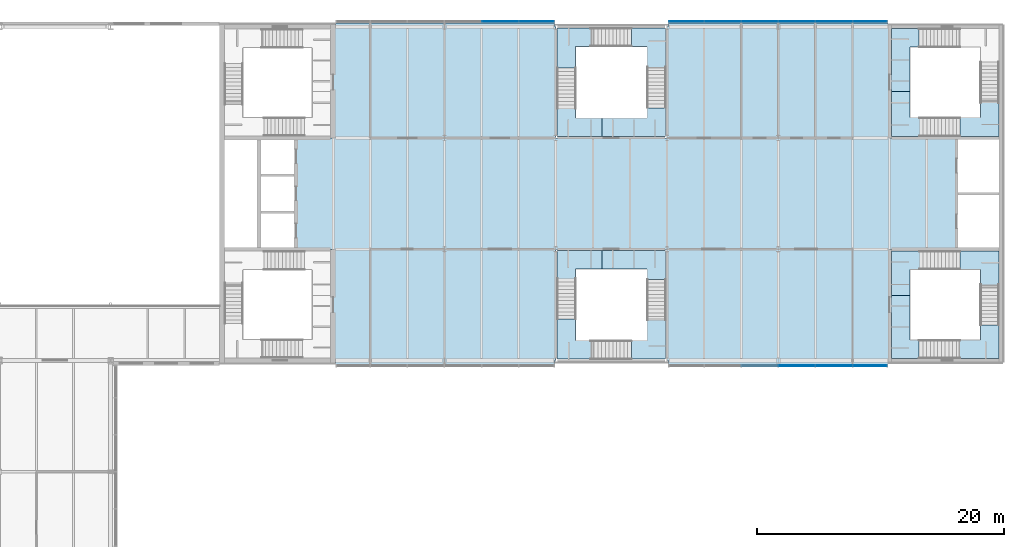
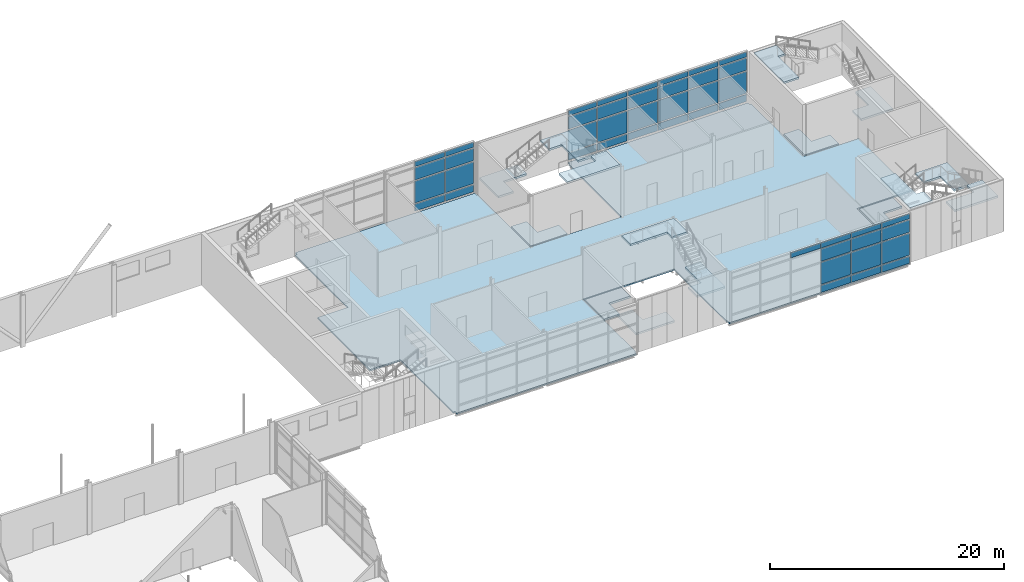
# One storey, part 35 of 56: 45 plates, 16 slabs, 7 elements without a shape of their own.
"""IFC4 building model written with IfcOpenShell, lengths in metres."""

from ifc_helpers import new_model, si_unit, direction, frame, origin, origin_2d, place, context, subcontext, project, spatial, polyline, rectangle, outline, extrude, material, layer, layer_set, type_object, element, aggregate, save


model = new_model("IFC4")

# Units and contexts
model_context = context("Model", 3, precision=1e-05, world=origin(), true_north=direction((0.0, 1.0)))
body_context = subcontext(model_context, "Body", "Model", "MODEL_VIEW")
ifc_project = project(units=[si_unit("LENGTHUNIT", "METRE"), si_unit("AREAUNIT", "SQUARE_METRE"), si_unit("VOLUMEUNIT", "CUBIC_METRE"), si_unit("PLANEANGLEUNIT", "RADIAN"), si_unit("MASSUNIT", "GRAM", prefix="KILO")], contexts=[model_context])

# Site, building, storey
site_placement = place(None, origin())
site = spatial("IfcSite", under=ifc_project, at=site_placement, CompositionType="ELEMENT")
building_placement = place(site_placement, origin())
building = spatial("IfcBuilding", under=site, at=building_placement, Name="Azimuth Sports and Learning Centre", CompositionType="ELEMENT")
storey_placement = place(building_placement, frame((0.0, 0.0, 5.39990234375)))
storey = spatial("IfcBuildingStorey", under=building, at=storey_placement, Name="L01", CompositionType="ELEMENT", Elevation=5.39990234375)

# Slab
ifc_material_1 = material(Name="Concrete C30/37", Category="concrete")
ifc_layer_1 = layer(ifc_material_1, 0.14990234375)
ifc_layer_set_1 = layer_set([ifc_layer_1], Name="Concrete C30/37")
slab_type_1 = type_object("IfcSlabType", Name="Composite floor slab 150", PredefinedType="FLOOR", material=ifc_layer_set_1)
slab_1_placement = place(storey_placement, frame((0.0, 0.0, -0.14990234375)))
element("IfcSlab", 1, at=slab_1_placement, inside=storey, type_object=slab_type_1, Name="Slab East wing L01", PredefinedType="FLOOR", context=body_context, shape_type="SweptSolid", body=[
    extrude(outline(polyline([(117.199951171875, 89.699951171875), (134.89990234375, 89.699951171875), (134.89990234375, 90.0), (135.0, 90.0), (135.0, 99.0), (144.0, 99.0), (144.0, 90.0), (144.10009765625, 90.0), (144.10009765625, 89.699951171875), (161.85009765625, 89.699951171875), (161.85009765625, 90.0), (162.0, 90.0), (162.0, 99.0), (167.39990234375, 99.0), (167.39990234375, 108.0), (162.0, 108.0), (162.0, 117.0), (161.85009765625, 117.0), (161.85009765625, 117.300048828125), (144.10009765625, 117.300048828125), (144.10009765625, 117.0), (144.0, 117.0), (144.0, 108.0), (135.0, 108.0), (135.0, 117.0), (134.89990234375, 117.0), (134.89990234375, 117.300048828125), (117.199951171875, 117.300048828125), (117.199951171875, 117.0), (117.0, 117.0), (117.0, 108.0), (114.0, 108.0), (114.0, 99.0), (117.0, 99.0), (117.0, 90.0), (117.199951171875, 90.0), (117.199951171875, 89.699951171875)])), origin(), (0.0, 0.0, 1.0), 0.14990234375),
])

# Stair, slabs
ifc_material_2 = material(Name="Concrete C32/40", Category="concrete")
stair_type_1 = type_object("IfcStairType", Name="Square-well stair end core 5400 storey", PredefinedType="THREE_QUARTER_TURN_STAIR", material=ifc_material_2)
stair_1_placement = place(storey_placement, origin())
stair_1 = element("IfcStair", 2, at=stair_1_placement, inside=storey, type_object=stair_type_1, Name="Stair EW1 L01-L02", PredefinedType="THREE_QUARTER_TURN_STAIR")
ifc_material_3 = material(Name="Concrete C32/40", Category="concrete")
ifc_layer_2 = layer(ifc_material_3, 0.199951171875)
ifc_layer_set_2 = layer_set([ifc_layer_2], Name="Concrete C32/40")
slab_type_2 = type_object("IfcSlabType", Name="Concrete stair landing", PredefinedType="LANDING", material=ifc_layer_set_2)
slab_2_placement = place(storey_placement, frame((0.0, 0.0, -0.199951171875)))
slab_2 = element("IfcSlab", 3, at=slab_2_placement, type_object=slab_type_2, Name="Stair EW1 L01 landing 1", PredefinedType="LANDING", context=body_context, shape_type="SweptSolid", body=[
    extrude(outline(polyline([(162.159912109375, 98.864990234375), (162.159912109375, 95.25), (163.659912109375, 95.25), (163.659912109375, 97.364990234375), (165.510009765625, 97.364990234375), (165.510009765625, 98.864990234375), (162.159912109375, 98.864990234375)])), origin(), (0.0, 0.0, 1.0), 0.199951171875),
])
slab_3_placement = place(storey_placement, frame((0.0, 0.0, 1.60009765625)))
slab_3 = element("IfcSlab", 4, at=slab_3_placement, type_object=slab_type_2, Name="Stair EW1 L01 landing 2", PredefinedType="LANDING", context=body_context, shape_type="SweptSolid", body=[
    extrude(outline(polyline([(169.340087890625, 97.364990234375), (169.340087890625, 95.06494140625), (170.840087890625, 95.06494140625), (170.840087890625, 98.864990234375), (167.709228515625, 98.864990234375), (167.709228515625, 97.364990234375), (169.340087890625, 97.364990234375)])), origin(), (0.0, 0.0, 1.0), 0.199951171875),
])
slab_4_placement = place(storey_placement, frame((0.0, 0.0, 3.400146484375)))
slab_4 = element("IfcSlab", 5, at=slab_4_placement, type_object=slab_type_2, Name="Stair EW1 L01 landing 3", PredefinedType="LANDING", context=body_context, shape_type="SweptSolid", body=[
    extrude(outline(polyline([(169.340087890625, 91.659912109375), (166.590087890625, 91.659912109375), (166.590087890625, 90.159912109375), (170.840087890625, 90.159912109375), (170.840087890625, 92.86572265625), (169.340087890625, 92.86572265625), (169.340087890625, 91.659912109375)])), origin(), (0.0, 0.0, 1.0), 0.199951171875),
])
slab_5_placement = place(storey_placement, frame((0.0, 0.0, 5.2001953125)))
slab_5 = element("IfcSlab", 6, at=slab_5_placement, type_object=slab_type_2, Name="Stair EW1 L01 landing 4", PredefinedType="LANDING", context=body_context, shape_type="SweptSolid", body=[
    extrude(outline(polyline([(163.659912109375, 91.659912109375), (163.659912109375, 95.25), (162.159912109375, 95.25), (162.159912109375, 90.159912109375), (164.390625, 90.159912109375), (164.390625, 91.659912109375), (163.659912109375, 91.659912109375)])), origin(), (0.0, 0.0, 1.0), 0.199951171875),
])
aggregate(stair_1, [slab_2, slab_3, slab_4, slab_5])

stair_2_placement = place(storey_placement, origin())
stair_2 = element("IfcStair", 7, at=stair_2_placement, inside=storey, type_object=stair_type_1, Name="Stair EW2 L01-L02", PredefinedType="THREE_QUARTER_TURN_STAIR")
slab_6_placement = place(storey_placement, frame((0.0, 0.0, -0.199951171875)))
slab_6 = element("IfcSlab", 8, at=slab_6_placement, type_object=slab_type_2, Name="Stair EW2 L01 landing 1", PredefinedType="LANDING", context=body_context, shape_type="SweptSolid", body=[
    extrude(outline(polyline([(165.510009765625, 109.635009765625), (163.659912109375, 109.635009765625), (163.659912109375, 111.75), (162.159912109375, 111.75), (162.159912109375, 108.135009765625), (165.510009765625, 108.135009765625), (165.510009765625, 109.635009765625)])), origin(), (0.0, 0.0, 1.0), 0.199951171875),
])
slab_7_placement = place(storey_placement, frame((0.0, 0.0, 1.60009765625)))
slab_7 = element("IfcSlab", 9, at=slab_7_placement, type_object=slab_type_2, Name="Stair EW2 L01 landing 2", PredefinedType="LANDING", context=body_context, shape_type="SweptSolid", body=[
    extrude(outline(polyline([(169.340087890625, 109.635009765625), (167.709228515625, 109.635009765625), (167.709228515625, 108.135009765625), (170.840087890625, 108.135009765625), (170.840087890625, 111.93505859375), (169.340087890625, 111.93505859375), (169.340087890625, 109.635009765625)])), origin(), (0.0, 0.0, 1.0), 0.199951171875),
])
slab_8_placement = place(storey_placement, frame((0.0, 0.0, 5.2001953125)))
slab_8 = element("IfcSlab", 10, at=slab_8_placement, type_object=slab_type_2, Name="Stair EW2 L01 landing 4", PredefinedType="LANDING", context=body_context, shape_type="SweptSolid", body=[
    extrude(outline(polyline([(163.659912109375, 115.340087890625), (164.390625, 115.340087890625), (164.390625, 116.840087890625), (162.159912109375, 116.840087890625), (162.159912109375, 111.75), (163.659912109375, 111.75), (163.659912109375, 115.340087890625)])), origin(), (0.0, 0.0, 1.0), 0.199951171875),
])
aggregate(stair_2, [slab_6, slab_7, slab_8])

ifc_material_4 = material(Name="Concrete C32/40", Category="concrete")
stair_type_2 = type_object("IfcStairType", Name="Square-well stair mid-wing cell 5400 storey", PredefinedType="THREE_QUARTER_TURN_STAIR", material=ifc_material_4)
stair_3_placement = place(storey_placement, origin())
stair_3 = element("IfcStair", 11, at=stair_3_placement, inside=storey, type_object=stair_type_2, Name="Stair EM1 L01-L02", PredefinedType="THREE_QUARTER_TURN_STAIR")
slab_9_placement = place(storey_placement, frame((0.0, 0.0, -0.199951171875)))
slab_9 = element("IfcSlab", 12, at=slab_9_placement, type_object=slab_type_2, Name="Stair EM1 L01 landing 1", PredefinedType="LANDING", context=body_context, shape_type="SweptSolid", body=[
    extrude(outline(polyline([(136.610107421875, 95.5400390625), (136.610107421875, 97.389892578125), (138.75, 97.389892578125), (138.75, 98.889892578125), (135.110107421875, 98.889892578125), (135.110107421875, 95.5400390625), (136.610107421875, 95.5400390625)])), origin(), (0.0, 0.0, 1.0), 0.199951171875),
])
slab_10_placement = place(storey_placement, frame((0.0, 0.0, 1.60009765625)))
slab_10 = element("IfcSlab", 13, at=slab_10_placement, type_object=slab_type_2, Name="Stair EM1 L01 landing 2", PredefinedType="LANDING", context=body_context, shape_type="SweptSolid", body=[
    extrude(outline(polyline([(136.610107421875, 91.610107421875), (136.610107421875, 93.3408203125), (135.110107421875, 93.3408203125), (135.110107421875, 90.110107421875), (138.909912109375, 90.110107421875), (138.909912109375, 91.610107421875), (136.610107421875, 91.610107421875)])), origin(), (0.0, 0.0, 1.0), 0.199951171875),
])
slab_11_placement = place(storey_placement, frame((0.0, 0.0, 3.400146484375)))
slab_11 = element("IfcSlab", 14, at=slab_11_placement, type_object=slab_type_2, Name="Stair EM1 L01 landing 3", PredefinedType="LANDING", context=body_context, shape_type="SweptSolid", body=[
    extrude(outline(polyline([(142.389892578125, 91.610107421875), (141.109375, 91.610107421875), (141.109375, 90.110107421875), (143.889892578125, 90.110107421875), (143.889892578125, 94.360107421875), (142.389892578125, 94.360107421875), (142.389892578125, 91.610107421875)])), origin(), (0.0, 0.0, 1.0), 0.199951171875),
])
slab_12_placement = place(storey_placement, frame((0.0, 0.0, 5.2001953125)))
slab_12 = element("IfcSlab", 15, at=slab_12_placement, type_object=slab_type_2, Name="Stair EM1 L01 landing 4", PredefinedType="LANDING", context=body_context, shape_type="SweptSolid", body=[
    extrude(outline(polyline([(142.389892578125, 97.389892578125), (142.389892578125, 96.559326171875), (143.889892578125, 96.559326171875), (143.889892578125, 98.889892578125), (138.75, 98.889892578125), (138.75, 97.389892578125), (142.389892578125, 97.389892578125)])), origin(), (0.0, 0.0, 1.0), 0.199951171875),
])
aggregate(stair_3, [slab_9, slab_10, slab_11, slab_12])

stair_4_placement = place(storey_placement, origin())
stair_4 = element("IfcStair", 16, at=stair_4_placement, inside=storey, type_object=stair_type_2, Name="Stair EM2 L01-L02", PredefinedType="THREE_QUARTER_TURN_STAIR")
slab_13_placement = place(storey_placement, frame((0.0, 0.0, -0.199951171875)))
slab_13 = element("IfcSlab", 17, at=slab_13_placement, type_object=slab_type_2, Name="Stair EM2 L01 landing 1", PredefinedType="LANDING", context=body_context, shape_type="SweptSolid", body=[
    extrude(outline(polyline([(135.110107421875, 108.110107421875), (138.75, 108.110107421875), (138.75, 109.610107421875), (136.610107421875, 109.610107421875), (136.610107421875, 111.4599609375), (135.110107421875, 111.4599609375), (135.110107421875, 108.110107421875)])), origin(), (0.0, 0.0, 1.0), 0.199951171875),
])
slab_14_placement = place(storey_placement, frame((0.0, 0.0, 1.60009765625)))
slab_14 = element("IfcSlab", 18, at=slab_14_placement, type_object=slab_type_2, Name="Stair EM2 L01 landing 2", PredefinedType="LANDING", context=body_context, shape_type="SweptSolid", body=[
    extrude(outline(polyline([(136.610107421875, 115.389892578125), (138.909912109375, 115.389892578125), (138.909912109375, 116.889892578125), (135.110107421875, 116.889892578125), (135.110107421875, 113.6591796875), (136.610107421875, 113.6591796875), (136.610107421875, 115.389892578125)])), origin(), (0.0, 0.0, 1.0), 0.199951171875),
])
slab_15_placement = place(storey_placement, frame((0.0, 0.0, 3.400146484375)))
slab_15 = element("IfcSlab", 19, at=slab_15_placement, type_object=slab_type_2, Name="Stair EM2 L01 landing 3", PredefinedType="LANDING", context=body_context, shape_type="SweptSolid", body=[
    extrude(outline(polyline([(142.389892578125, 115.389892578125), (142.389892578125, 112.639892578125), (143.889892578125, 112.639892578125), (143.889892578125, 116.889892578125), (141.109375, 116.889892578125), (141.109375, 115.389892578125), (142.389892578125, 115.389892578125)])), origin(), (0.0, 0.0, 1.0), 0.199951171875),
])
slab_16_placement = place(storey_placement, frame((0.0, 0.0, 5.2001953125)))
slab_16 = element("IfcSlab", 20, at=slab_16_placement, type_object=slab_type_2, Name="Stair EM2 L01 landing 4", PredefinedType="LANDING", context=body_context, shape_type="SweptSolid", body=[
    extrude(outline(polyline([(142.389892578125, 109.610107421875), (138.75, 109.610107421875), (138.75, 108.110107421875), (143.889892578125, 108.110107421875), (143.889892578125, 110.440673828125), (142.389892578125, 110.440673828125), (142.389892578125, 109.610107421875)])), origin(), (0.0, 0.0, 1.0), 0.199951171875),
])
aggregate(stair_4, [slab_13, slab_14, slab_15, slab_16])

# Curtain wall, plates
ifc_material_5 = material(Name="Aluminium and glass", Category="aluminium")
curtain_wall_type = type_object("IfcCurtainWallType", Name="Curtain wall podium wing 240", PredefinedType="NOTDEFINED", material=ifc_material_5)
curtain_wall_1_placement = place(storey_placement, origin())
curtain_wall_1 = element("IfcCurtainWall", 21, at=curtain_wall_1_placement, inside=storey, type_object=curtain_wall_type, Name="Curtain wall CW01-010", PredefinedType="NOTDEFINED")
ifc_material_6 = material(Name="Insulated aluminium panel", Category="aluminium")
ifc_layer_3 = layer(ifc_material_6, 0.06005859375)
ifc_layer_set_3 = layer_set([ifc_layer_3], Name="Insulated aluminium panel")
plate_type_1 = type_object("IfcPlateType", Name="Spandrel panel 60 mm", PredefinedType="CURTAIN_PANEL", material=ifc_layer_set_3)
plate_1_placement = place(storey_placement, frame((151.5, 89.580078125, 4.760009765625), z_axis=(0.0, 0.0, 1.0), x_axis=(1.0, 0.0, 0.0)))
plate_1 = element("IfcPlate", 22, at=plate_1_placement, type_object=plate_type_1, Name="CW01-010 panel 3.4", PredefinedType="CURTAIN_PANEL", context=body_context, shape_type="SweptSolid", body=[
    extrude(rectangle(XDim=2.919921875, YDim=0.06005859375, at=origin_2d()), origin(), (0.0, 0.0, 1.0), 0.52001953125),
])
plate_2_placement = place(storey_placement, frame((154.5, 89.580078125, 0.1201171875), z_axis=(0.0, 0.0, 1.0), x_axis=(1.0, 0.0, 0.0)))
plate_2 = element("IfcPlate", 23, at=plate_2_placement, type_object=plate_type_1, Name="CW01-010 panel 4.1", PredefinedType="CURTAIN_PANEL", context=body_context, shape_type="SweptSolid", body=[
    extrude(rectangle(XDim=2.919921875, YDim=0.06005859375, at=origin_2d()), origin(), (0.0, 0.0, 1.0), 0.719970703125),
])
plate_3_placement = place(storey_placement, frame((154.5, 89.580078125, 4.760009765625), z_axis=(0.0, 0.0, 1.0), x_axis=(1.0, 0.0, 0.0)))
plate_3 = element("IfcPlate", 24, at=plate_3_placement, type_object=plate_type_1, Name="CW01-010 panel 4.4", PredefinedType="CURTAIN_PANEL", context=body_context, shape_type="SweptSolid", body=[
    extrude(rectangle(XDim=2.919921875, YDim=0.06005859375, at=origin_2d()), origin(), (0.0, 0.0, 1.0), 0.52001953125),
])
plate_4_placement = place(storey_placement, frame((157.5, 89.580078125, 0.1201171875), z_axis=(0.0, 0.0, 1.0), x_axis=(1.0, 0.0, 0.0)))
plate_4 = element("IfcPlate", 25, at=plate_4_placement, type_object=plate_type_1, Name="CW01-010 panel 5.1", PredefinedType="CURTAIN_PANEL", context=body_context, shape_type="SweptSolid", body=[
    extrude(rectangle(XDim=2.919921875, YDim=0.06005859375, at=origin_2d()), origin(), (0.0, 0.0, 1.0), 0.719970703125),
])
plate_5_placement = place(storey_placement, frame((157.5, 89.580078125, 4.760009765625), z_axis=(0.0, 0.0, 1.0), x_axis=(1.0, 0.0, 0.0)))
plate_5 = element("IfcPlate", 26, at=plate_5_placement, type_object=plate_type_1, Name="CW01-010 panel 5.4", PredefinedType="CURTAIN_PANEL", context=body_context, shape_type="SweptSolid", body=[
    extrude(rectangle(XDim=2.919921875, YDim=0.06005859375, at=origin_2d()), origin(), (0.0, 0.0, 1.0), 0.52001953125),
])
plate_6_placement = place(storey_placement, frame((160.405029296875, 89.580078125, 0.1201171875), z_axis=(0.0, 0.0, 1.0), x_axis=(1.0, 0.0, 0.0)))
plate_6 = element("IfcPlate", 27, at=plate_6_placement, type_object=plate_type_1, Name="CW01-010 panel 6.1", PredefinedType="CURTAIN_PANEL", context=body_context, shape_type="SweptSolid", body=[
    extrude(rectangle(XDim=2.72998046875, YDim=0.06005859375, at=origin_2d()), origin(), (0.0, 0.0, 1.0), 0.719970703125),
])
plate_7_placement = place(storey_placement, frame((160.405029296875, 89.580078125, 4.760009765625), z_axis=(0.0, 0.0, 1.0), x_axis=(1.0, 0.0, 0.0)))
plate_7 = element("IfcPlate", 28, at=plate_7_placement, type_object=plate_type_1, Name="CW01-010 panel 6.4", PredefinedType="CURTAIN_PANEL", context=body_context, shape_type="SweptSolid", body=[
    extrude(rectangle(XDim=2.72998046875, YDim=0.06005859375, at=origin_2d()), origin(), (0.0, 0.0, 1.0), 0.52001953125),
])

curtain_wall_2_placement = place(storey_placement, origin())
curtain_wall_2 = element("IfcCurtainWall", 29, at=curtain_wall_2_placement, inside=storey, type_object=curtain_wall_type, Name="Curtain wall CW01-011", PredefinedType="NOTDEFINED")
plate_8_placement = place(storey_placement, frame((160.405029296875, 117.419921875, 0.1201171875), z_axis=(0.0, 0.0, 1.0), x_axis=(-1.0, 0.0, 0.0)))
plate_8 = element("IfcPlate", 30, at=plate_8_placement, type_object=plate_type_1, Name="CW01-011 panel 1.1", PredefinedType="CURTAIN_PANEL", context=body_context, shape_type="SweptSolid", body=[
    extrude(rectangle(XDim=2.72998046875, YDim=0.06005859375, at=origin_2d()), origin(), (0.0, 0.0, 1.0), 0.719970703125),
])
plate_9_placement = place(storey_placement, frame((160.405029296875, 117.419921875, 4.760009765625), z_axis=(0.0, 0.0, 1.0), x_axis=(-1.0, 0.0, 0.0)))
plate_9 = element("IfcPlate", 31, at=plate_9_placement, type_object=plate_type_1, Name="CW01-011 panel 1.4", PredefinedType="CURTAIN_PANEL", context=body_context, shape_type="SweptSolid", body=[
    extrude(rectangle(XDim=2.72998046875, YDim=0.06005859375, at=origin_2d()), origin(), (0.0, 0.0, 1.0), 0.52001953125),
])
plate_10_placement = place(storey_placement, frame((157.5, 117.419921875, 0.1201171875), z_axis=(0.0, 0.0, 1.0), x_axis=(-1.0, 0.0, 0.0)))
plate_10 = element("IfcPlate", 32, at=plate_10_placement, type_object=plate_type_1, Name="CW01-011 panel 2.1", PredefinedType="CURTAIN_PANEL", context=body_context, shape_type="SweptSolid", body=[
    extrude(rectangle(XDim=2.919921875, YDim=0.06005859375, at=origin_2d()), origin(), (0.0, 0.0, 1.0), 0.719970703125),
])
plate_11_placement = place(storey_placement, frame((157.5, 117.419921875, 4.760009765625), z_axis=(0.0, 0.0, 1.0), x_axis=(-1.0, 0.0, 0.0)))
plate_11 = element("IfcPlate", 33, at=plate_11_placement, type_object=plate_type_1, Name="CW01-011 panel 2.4", PredefinedType="CURTAIN_PANEL", context=body_context, shape_type="SweptSolid", body=[
    extrude(rectangle(XDim=2.919921875, YDim=0.06005859375, at=origin_2d()), origin(), (0.0, 0.0, 1.0), 0.52001953125),
])
plate_12_placement = place(storey_placement, frame((154.5, 117.419921875, 0.1201171875), z_axis=(0.0, 0.0, 1.0), x_axis=(-1.0, 0.0, 0.0)))
plate_12 = element("IfcPlate", 34, at=plate_12_placement, type_object=plate_type_1, Name="CW01-011 panel 3.1", PredefinedType="CURTAIN_PANEL", context=body_context, shape_type="SweptSolid", body=[
    extrude(rectangle(XDim=2.919921875, YDim=0.06005859375, at=origin_2d()), origin(), (0.0, 0.0, 1.0), 0.719970703125),
])
plate_13_placement = place(storey_placement, frame((154.5, 117.419921875, 4.760009765625), z_axis=(0.0, 0.0, 1.0), x_axis=(-1.0, 0.0, 0.0)))
plate_13 = element("IfcPlate", 35, at=plate_13_placement, type_object=plate_type_1, Name="CW01-011 panel 3.4", PredefinedType="CURTAIN_PANEL", context=body_context, shape_type="SweptSolid", body=[
    extrude(rectangle(XDim=2.919921875, YDim=0.06005859375, at=origin_2d()), origin(), (0.0, 0.0, 1.0), 0.52001953125),
])
plate_14_placement = place(storey_placement, frame((151.5, 117.419921875, 0.1201171875), z_axis=(0.0, 0.0, 1.0), x_axis=(-1.0, 0.0, 0.0)))
plate_14 = element("IfcPlate", 36, at=plate_14_placement, type_object=plate_type_1, Name="CW01-011 panel 4.1", PredefinedType="CURTAIN_PANEL", context=body_context, shape_type="SweptSolid", body=[
    extrude(rectangle(XDim=2.919921875, YDim=0.06005859375, at=origin_2d()), origin(), (0.0, 0.0, 1.0), 0.719970703125),
])
plate_15_placement = place(storey_placement, frame((151.5, 117.419921875, 4.760009765625), z_axis=(0.0, 0.0, 1.0), x_axis=(-1.0, 0.0, 0.0)))
plate_15 = element("IfcPlate", 37, at=plate_15_placement, type_object=plate_type_1, Name="CW01-011 panel 4.4", PredefinedType="CURTAIN_PANEL", context=body_context, shape_type="SweptSolid", body=[
    extrude(rectangle(XDim=2.919921875, YDim=0.06005859375, at=origin_2d()), origin(), (0.0, 0.0, 1.0), 0.52001953125),
])
plate_16_placement = place(storey_placement, frame((148.5, 117.419921875, 0.1201171875), z_axis=(0.0, 0.0, 1.0), x_axis=(-1.0, 0.0, 0.0)))
plate_16 = element("IfcPlate", 38, at=plate_16_placement, type_object=plate_type_1, Name="CW01-011 panel 5.1", PredefinedType="CURTAIN_PANEL", context=body_context, shape_type="SweptSolid", body=[
    extrude(rectangle(XDim=2.919921875, YDim=0.06005859375, at=origin_2d()), origin(), (0.0, 0.0, 1.0), 0.719970703125),
])
plate_17_placement = place(storey_placement, frame((148.5, 117.419921875, 4.760009765625), z_axis=(0.0, 0.0, 1.0), x_axis=(-1.0, 0.0, 0.0)))
plate_17 = element("IfcPlate", 39, at=plate_17_placement, type_object=plate_type_1, Name="CW01-011 panel 5.4", PredefinedType="CURTAIN_PANEL", context=body_context, shape_type="SweptSolid", body=[
    extrude(rectangle(XDim=2.919921875, YDim=0.06005859375, at=origin_2d()), origin(), (0.0, 0.0, 1.0), 0.52001953125),
])
plate_18_placement = place(storey_placement, frame((145.570068359375, 117.419921875, 0.1201171875), z_axis=(0.0, 0.0, 1.0), x_axis=(-1.0, 0.0, 0.0)))
plate_18 = element("IfcPlate", 40, at=plate_18_placement, type_object=plate_type_1, Name="CW01-011 panel 6.1", PredefinedType="CURTAIN_PANEL", context=body_context, shape_type="SweptSolid", body=[
    extrude(rectangle(XDim=2.780029296875, YDim=0.06005859375, at=origin_2d()), origin(), (0.0, 0.0, 1.0), 0.719970703125),
])
plate_19_placement = place(storey_placement, frame((145.570068359375, 117.419921875, 4.760009765625), z_axis=(0.0, 0.0, 1.0), x_axis=(-1.0, 0.0, 0.0)))
plate_19 = element("IfcPlate", 41, at=plate_19_placement, type_object=plate_type_1, Name="CW01-011 panel 6.4", PredefinedType="CURTAIN_PANEL", context=body_context, shape_type="SweptSolid", body=[
    extrude(rectangle(XDim=2.780029296875, YDim=0.06005859375, at=origin_2d()), origin(), (0.0, 0.0, 1.0), 0.52001953125),
])

curtain_wall_3_placement = place(storey_placement, origin())
curtain_wall_3 = element("IfcCurtainWall", 42, at=curtain_wall_3_placement, inside=storey, type_object=curtain_wall_type, Name="Curtain wall CW01-012", PredefinedType="NOTDEFINED")
plate_20_placement = place(storey_placement, frame((133.429931640625, 117.419921875, 0.1201171875), z_axis=(0.0, 0.0, 1.0), x_axis=(-1.0, 0.0, 0.0)))
plate_20 = element("IfcPlate", 43, at=plate_20_placement, type_object=plate_type_1, Name="CW01-012 panel 1.1", PredefinedType="CURTAIN_PANEL", context=body_context, shape_type="SweptSolid", body=[
    extrude(rectangle(XDim=2.780029296875, YDim=0.06005859375, at=origin_2d()), origin(), (0.0, 0.0, 1.0), 0.719970703125),
])
plate_21_placement = place(storey_placement, frame((133.429931640625, 117.419921875, 4.760009765625), z_axis=(0.0, 0.0, 1.0), x_axis=(-1.0, 0.0, 0.0)))
plate_21 = element("IfcPlate", 44, at=plate_21_placement, type_object=plate_type_1, Name="CW01-012 panel 1.4", PredefinedType="CURTAIN_PANEL", context=body_context, shape_type="SweptSolid", body=[
    extrude(rectangle(XDim=2.780029296875, YDim=0.06005859375, at=origin_2d()), origin(), (0.0, 0.0, 1.0), 0.52001953125),
])
plate_22_placement = place(storey_placement, frame((130.5, 117.419921875, 0.1201171875), z_axis=(0.0, 0.0, 1.0), x_axis=(-1.0, 0.0, 0.0)))
plate_22 = element("IfcPlate", 45, at=plate_22_placement, type_object=plate_type_1, Name="CW01-012 panel 2.1", PredefinedType="CURTAIN_PANEL", context=body_context, shape_type="SweptSolid", body=[
    extrude(rectangle(XDim=2.919921875, YDim=0.06005859375, at=origin_2d()), origin(), (0.0, 0.0, 1.0), 0.719970703125),
])
plate_23_placement = place(storey_placement, frame((130.5, 117.419921875, 4.760009765625), z_axis=(0.0, 0.0, 1.0), x_axis=(-1.0, 0.0, 0.0)))
plate_23 = element("IfcPlate", 46, at=plate_23_placement, type_object=plate_type_1, Name="CW01-012 panel 2.4", PredefinedType="CURTAIN_PANEL", context=body_context, shape_type="SweptSolid", body=[
    extrude(rectangle(XDim=2.919921875, YDim=0.06005859375, at=origin_2d()), origin(), (0.0, 0.0, 1.0), 0.52001953125),
])

# Plate
ifc_material_7 = material(Name="Glass", Category="glass")
ifc_layer_4 = layer(ifc_material_7, 0.0439453125)
ifc_layer_set_4 = layer_set([ifc_layer_4], Name="Glass")
plate_type_2 = type_object("IfcPlateType", Name="Vision glass 44 mm", PredefinedType="CURTAIN_PANEL", material=ifc_layer_set_4)
plate_24_placement = place(storey_placement, frame((154.5, 89.580078125, 0.9599609375), z_axis=(0.0, 0.0, 1.0), x_axis=(1.0, 0.0, 0.0)))
plate_24 = element("IfcPlate", 47, at=plate_24_placement, type_object=plate_type_2, Name="CW01-010 panel 4.2", PredefinedType="CURTAIN_PANEL", context=body_context, shape_type="SweptSolid", body=[
    extrude(rectangle(XDim=2.919921875, YDim=0.0439453125, at=origin_2d()), origin(), (0.0, 0.0, 1.0), 2.280029296875),
])

plate_25_placement = place(storey_placement, frame((154.5, 89.580078125, 3.35986328125), z_axis=(0.0, 0.0, 1.0), x_axis=(1.0, 0.0, 0.0)))
plate_25 = element("IfcPlate", 48, at=plate_25_placement, type_object=plate_type_2, Name="CW01-010 panel 4.3", PredefinedType="CURTAIN_PANEL", context=body_context, shape_type="SweptSolid", body=[
    extrude(rectangle(XDim=2.919921875, YDim=0.0439453125, at=origin_2d()), origin(), (0.0, 0.0, 1.0), 1.280029296875),
])

plate_26_placement = place(storey_placement, frame((157.5, 89.580078125, 0.9599609375), z_axis=(0.0, 0.0, 1.0), x_axis=(1.0, 0.0, 0.0)))
plate_26 = element("IfcPlate", 49, at=plate_26_placement, type_object=plate_type_2, Name="CW01-010 panel 5.2", PredefinedType="CURTAIN_PANEL", context=body_context, shape_type="SweptSolid", body=[
    extrude(rectangle(XDim=2.919921875, YDim=0.0439453125, at=origin_2d()), origin(), (0.0, 0.0, 1.0), 2.280029296875),
])

plate_27_placement = place(storey_placement, frame((157.5, 89.580078125, 3.35986328125), z_axis=(0.0, 0.0, 1.0), x_axis=(1.0, 0.0, 0.0)))
plate_27 = element("IfcPlate", 50, at=plate_27_placement, type_object=plate_type_2, Name="CW01-010 panel 5.3", PredefinedType="CURTAIN_PANEL", context=body_context, shape_type="SweptSolid", body=[
    extrude(rectangle(XDim=2.919921875, YDim=0.0439453125, at=origin_2d()), origin(), (0.0, 0.0, 1.0), 1.280029296875),
])

plate_28_placement = place(storey_placement, frame((160.405029296875, 89.580078125, 0.9599609375), z_axis=(0.0, 0.0, 1.0), x_axis=(1.0, 0.0, 0.0)))
plate_28 = element("IfcPlate", 51, at=plate_28_placement, type_object=plate_type_2, Name="CW01-010 panel 6.2", PredefinedType="CURTAIN_PANEL", context=body_context, shape_type="SweptSolid", body=[
    extrude(rectangle(XDim=2.72998046875, YDim=0.0439453125, at=origin_2d()), origin(), (0.0, 0.0, 1.0), 2.280029296875),
])

plate_29_placement = place(storey_placement, frame((160.405029296875, 89.580078125, 3.35986328125), z_axis=(0.0, 0.0, 1.0), x_axis=(1.0, 0.0, 0.0)))
plate_29 = element("IfcPlate", 52, at=plate_29_placement, type_object=plate_type_2, Name="CW01-010 panel 6.3", PredefinedType="CURTAIN_PANEL", context=body_context, shape_type="SweptSolid", body=[
    extrude(rectangle(XDim=2.72998046875, YDim=0.0439453125, at=origin_2d()), origin(), (0.0, 0.0, 1.0), 1.280029296875),
])

aggregate(curtain_wall_1, [plate_1, plate_2, plate_24, plate_25, plate_3, plate_4, plate_26, plate_27, plate_5, plate_6, plate_28, plate_29, plate_7])

plate_30_placement = place(storey_placement, frame((160.405029296875, 117.419921875, 0.9599609375), z_axis=(0.0, 0.0, 1.0), x_axis=(-1.0, 0.0, 0.0)))
plate_30 = element("IfcPlate", 53, at=plate_30_placement, type_object=plate_type_2, Name="CW01-011 panel 1.2", PredefinedType="CURTAIN_PANEL", context=body_context, shape_type="SweptSolid", body=[
    extrude(rectangle(XDim=2.72998046875, YDim=0.0439453125, at=origin_2d()), origin(), (0.0, 0.0, 1.0), 2.280029296875),
])

plate_31_placement = place(storey_placement, frame((160.405029296875, 117.419921875, 3.35986328125), z_axis=(0.0, 0.0, 1.0), x_axis=(-1.0, 0.0, 0.0)))
plate_31 = element("IfcPlate", 54, at=plate_31_placement, type_object=plate_type_2, Name="CW01-011 panel 1.3", PredefinedType="CURTAIN_PANEL", context=body_context, shape_type="SweptSolid", body=[
    extrude(rectangle(XDim=2.72998046875, YDim=0.0439453125, at=origin_2d()), origin(), (0.0, 0.0, 1.0), 1.280029296875),
])

plate_32_placement = place(storey_placement, frame((157.5, 117.419921875, 0.9599609375), z_axis=(0.0, 0.0, 1.0), x_axis=(-1.0, 0.0, 0.0)))
plate_32 = element("IfcPlate", 55, at=plate_32_placement, type_object=plate_type_2, Name="CW01-011 panel 2.2", PredefinedType="CURTAIN_PANEL", context=body_context, shape_type="SweptSolid", body=[
    extrude(rectangle(XDim=2.919921875, YDim=0.0439453125, at=origin_2d()), origin(), (0.0, 0.0, 1.0), 2.280029296875),
])

plate_33_placement = place(storey_placement, frame((157.5, 117.419921875, 3.35986328125), z_axis=(0.0, 0.0, 1.0), x_axis=(-1.0, 0.0, 0.0)))
plate_33 = element("IfcPlate", 56, at=plate_33_placement, type_object=plate_type_2, Name="CW01-011 panel 2.3", PredefinedType="CURTAIN_PANEL", context=body_context, shape_type="SweptSolid", body=[
    extrude(rectangle(XDim=2.919921875, YDim=0.0439453125, at=origin_2d()), origin(), (0.0, 0.0, 1.0), 1.280029296875),
])

plate_34_placement = place(storey_placement, frame((154.5, 117.419921875, 0.9599609375), z_axis=(0.0, 0.0, 1.0), x_axis=(-1.0, 0.0, 0.0)))
plate_34 = element("IfcPlate", 57, at=plate_34_placement, type_object=plate_type_2, Name="CW01-011 panel 3.2", PredefinedType="CURTAIN_PANEL", context=body_context, shape_type="SweptSolid", body=[
    extrude(rectangle(XDim=2.919921875, YDim=0.0439453125, at=origin_2d()), origin(), (0.0, 0.0, 1.0), 2.280029296875),
])

plate_35_placement = place(storey_placement, frame((154.5, 117.419921875, 3.35986328125), z_axis=(0.0, 0.0, 1.0), x_axis=(-1.0, 0.0, 0.0)))
plate_35 = element("IfcPlate", 58, at=plate_35_placement, type_object=plate_type_2, Name="CW01-011 panel 3.3", PredefinedType="CURTAIN_PANEL", context=body_context, shape_type="SweptSolid", body=[
    extrude(rectangle(XDim=2.919921875, YDim=0.0439453125, at=origin_2d()), origin(), (0.0, 0.0, 1.0), 1.280029296875),
])

plate_36_placement = place(storey_placement, frame((151.5, 117.419921875, 0.9599609375), z_axis=(0.0, 0.0, 1.0), x_axis=(-1.0, 0.0, 0.0)))
plate_36 = element("IfcPlate", 59, at=plate_36_placement, type_object=plate_type_2, Name="CW01-011 panel 4.2", PredefinedType="CURTAIN_PANEL", context=body_context, shape_type="SweptSolid", body=[
    extrude(rectangle(XDim=2.919921875, YDim=0.0439453125, at=origin_2d()), origin(), (0.0, 0.0, 1.0), 2.280029296875),
])

plate_37_placement = place(storey_placement, frame((151.5, 117.419921875, 3.35986328125), z_axis=(0.0, 0.0, 1.0), x_axis=(-1.0, 0.0, 0.0)))
plate_37 = element("IfcPlate", 60, at=plate_37_placement, type_object=plate_type_2, Name="CW01-011 panel 4.3", PredefinedType="CURTAIN_PANEL", context=body_context, shape_type="SweptSolid", body=[
    extrude(rectangle(XDim=2.919921875, YDim=0.0439453125, at=origin_2d()), origin(), (0.0, 0.0, 1.0), 1.280029296875),
])

plate_38_placement = place(storey_placement, frame((148.5, 117.419921875, 0.9599609375), z_axis=(0.0, 0.0, 1.0), x_axis=(-1.0, 0.0, 0.0)))
plate_38 = element("IfcPlate", 61, at=plate_38_placement, type_object=plate_type_2, Name="CW01-011 panel 5.2", PredefinedType="CURTAIN_PANEL", context=body_context, shape_type="SweptSolid", body=[
    extrude(rectangle(XDim=2.919921875, YDim=0.0439453125, at=origin_2d()), origin(), (0.0, 0.0, 1.0), 2.280029296875),
])

plate_39_placement = place(storey_placement, frame((148.5, 117.419921875, 3.35986328125), z_axis=(0.0, 0.0, 1.0), x_axis=(-1.0, 0.0, 0.0)))
plate_39 = element("IfcPlate", 62, at=plate_39_placement, type_object=plate_type_2, Name="CW01-011 panel 5.3", PredefinedType="CURTAIN_PANEL", context=body_context, shape_type="SweptSolid", body=[
    extrude(rectangle(XDim=2.919921875, YDim=0.0439453125, at=origin_2d()), origin(), (0.0, 0.0, 1.0), 1.280029296875),
])

plate_40_placement = place(storey_placement, frame((145.570068359375, 117.419921875, 0.9599609375), z_axis=(0.0, 0.0, 1.0), x_axis=(-1.0, 0.0, 0.0)))
plate_40 = element("IfcPlate", 63, at=plate_40_placement, type_object=plate_type_2, Name="CW01-011 panel 6.2", PredefinedType="CURTAIN_PANEL", context=body_context, shape_type="SweptSolid", body=[
    extrude(rectangle(XDim=2.780029296875, YDim=0.0439453125, at=origin_2d()), origin(), (0.0, 0.0, 1.0), 2.280029296875),
])

plate_41_placement = place(storey_placement, frame((145.570068359375, 117.419921875, 3.35986328125), z_axis=(0.0, 0.0, 1.0), x_axis=(-1.0, 0.0, 0.0)))
plate_41 = element("IfcPlate", 64, at=plate_41_placement, type_object=plate_type_2, Name="CW01-011 panel 6.3", PredefinedType="CURTAIN_PANEL", context=body_context, shape_type="SweptSolid", body=[
    extrude(rectangle(XDim=2.780029296875, YDim=0.0439453125, at=origin_2d()), origin(), (0.0, 0.0, 1.0), 1.280029296875),
])

aggregate(curtain_wall_2, [plate_8, plate_30, plate_31, plate_9, plate_10, plate_32, plate_33, plate_11, plate_12, plate_34, plate_35, plate_13, plate_14, plate_36, plate_37, plate_15, plate_16, plate_38, plate_39, plate_17, plate_18, plate_40, plate_41, plate_19])

plate_42_placement = place(storey_placement, frame((133.429931640625, 117.419921875, 0.9599609375), z_axis=(0.0, 0.0, 1.0), x_axis=(-1.0, 0.0, 0.0)))
plate_42 = element("IfcPlate", 65, at=plate_42_placement, type_object=plate_type_2, Name="CW01-012 panel 1.2", PredefinedType="CURTAIN_PANEL", context=body_context, shape_type="SweptSolid", body=[
    extrude(rectangle(XDim=2.780029296875, YDim=0.0439453125, at=origin_2d()), origin(), (0.0, 0.0, 1.0), 2.280029296875),
])

plate_43_placement = place(storey_placement, frame((133.429931640625, 117.419921875, 3.35986328125), z_axis=(0.0, 0.0, 1.0), x_axis=(-1.0, 0.0, 0.0)))
plate_43 = element("IfcPlate", 66, at=plate_43_placement, type_object=plate_type_2, Name="CW01-012 panel 1.3", PredefinedType="CURTAIN_PANEL", context=body_context, shape_type="SweptSolid", body=[
    extrude(rectangle(XDim=2.780029296875, YDim=0.0439453125, at=origin_2d()), origin(), (0.0, 0.0, 1.0), 1.280029296875),
])

plate_44_placement = place(storey_placement, frame((130.5, 117.419921875, 0.9599609375), z_axis=(0.0, 0.0, 1.0), x_axis=(-1.0, 0.0, 0.0)))
plate_44 = element("IfcPlate", 67, at=plate_44_placement, type_object=plate_type_2, Name="CW01-012 panel 2.2", PredefinedType="CURTAIN_PANEL", context=body_context, shape_type="SweptSolid", body=[
    extrude(rectangle(XDim=2.919921875, YDim=0.0439453125, at=origin_2d()), origin(), (0.0, 0.0, 1.0), 2.280029296875),
])

plate_45_placement = place(storey_placement, frame((130.5, 117.419921875, 3.35986328125), z_axis=(0.0, 0.0, 1.0), x_axis=(-1.0, 0.0, 0.0)))
plate_45 = element("IfcPlate", 68, at=plate_45_placement, type_object=plate_type_2, Name="CW01-012 panel 2.3", PredefinedType="CURTAIN_PANEL", context=body_context, shape_type="SweptSolid", body=[
    extrude(rectangle(XDim=2.919921875, YDim=0.0439453125, at=origin_2d()), origin(), (0.0, 0.0, 1.0), 1.280029296875),
])

aggregate(curtain_wall_3, [plate_20, plate_42, plate_43, plate_21, plate_22, plate_44, plate_45, plate_23])

save(model, "model.ifc")
